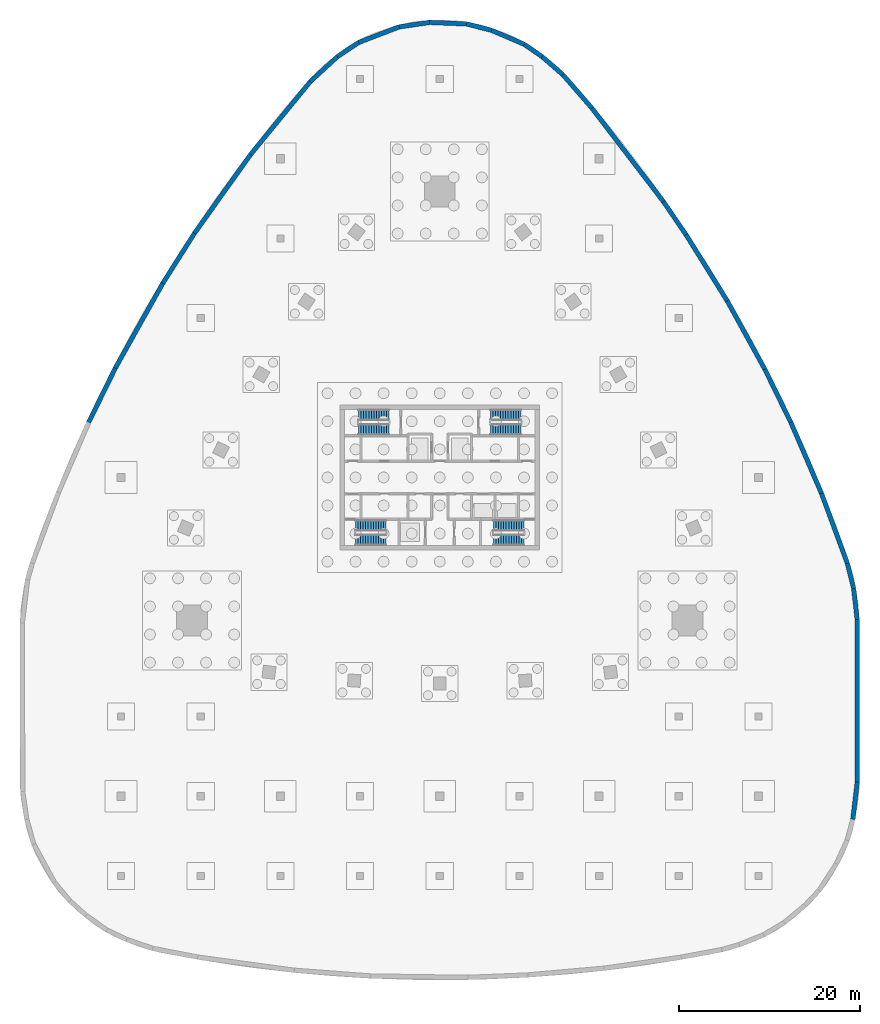
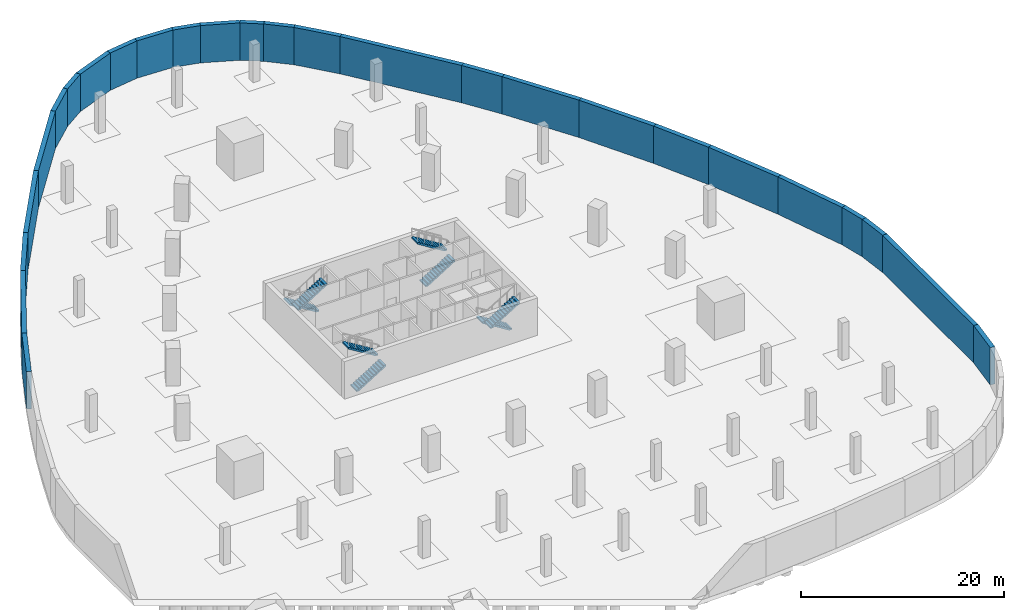
# One storey, part 6 of 8: 26 walls, 8 stair flights, 4 elements without a shape of their own.
"""IFC4 building model written with IfcOpenShell, lengths in metres."""

from ifc_helpers import new_model, si_unit, direction, frame, frame_2d, origin, place, context, subcontext, project, spatial, polyline, rectangle, outline, extrude, material, layer, layer_set, type_object, element, aggregate, save


model = new_model("IFC4")

# Units and contexts
model_context = context("Model", 3, precision=1e-05, world=origin(), true_north=direction((0.0, 1.0)))
body_context = subcontext(model_context, "Body", "Model", "MODEL_VIEW")
ifc_project = project(units=[si_unit("LENGTHUNIT", "METRE"), si_unit("AREAUNIT", "SQUARE_METRE"), si_unit("VOLUMEUNIT", "CUBIC_METRE"), si_unit("PLANEANGLEUNIT", "RADIAN"), si_unit("MASSUNIT", "GRAM", prefix="KILO")], contexts=[model_context])

# Site, building, storey
site_placement = place(None, origin())
site = spatial("IfcSite", under=ifc_project, at=site_placement, CompositionType="ELEMENT")
building_placement = place(site_placement, origin())
building = spatial("IfcBuilding", under=site, at=building_placement, Name="Sierra Prisma Convention Tower", CompositionType="ELEMENT")
storey_placement = place(building_placement, frame((0.0, 0.0, -9.0)))
storey = spatial("IfcBuildingStorey", under=building, at=storey_placement, Name="B2", CompositionType="ELEMENT", Elevation=-9.0)

# Walls
ifc_material_1 = material(Name="Concrete C40/50", Category="concrete")
ifc_layer = layer(ifc_material_1, 0.5)
ifc_layer_set = layer_set([ifc_layer], Name="Retaining wall 500")
wall_type = type_object("IfcWallType", Name="Retaining wall 500", PredefinedType="SOLIDWALL", material=ifc_layer_set)
wall_1_placement = place(storey_placement, frame((-38.768310546875, 6.09033203125, 0.0), z_axis=(0.0, 0.0, 1.0), x_axis=(0.439782855353, 0.898104136578, 0.0)))
element("IfcWall", 1, at=wall_1_placement, inside=storey, type_object=wall_type, Name="Retaining wall B2 18", PredefinedType="SOLIDWALL", context=body_context, shape_type="SweptSolid", body=[
    extrude(rectangle(XDim=6.650634765625, YDim=0.5, at=frame_2d((3.3251953125, 0.0))), origin(), (0.0, 0.0, 1.0), 4.5),
])
wall_2_placement = place(storey_placement, frame((-35.843505859375, 12.063232421875, 0.0), z_axis=(0.0, 0.0, 1.0), x_axis=(0.488508776482, 0.872558980986, 0.0)))
element("IfcWall", 2, at=wall_2_placement, inside=storey, type_object=wall_type, Name="Retaining wall B2 19", PredefinedType="SOLIDWALL", context=body_context, shape_type="SweptSolid", body=[
    extrude(rectangle(XDim=10.767578125, YDim=0.5, at=frame_2d((5.3837890625, 0.0))), origin(), (0.0, 0.0, 1.0), 4.5),
])
wall_3_placement = place(storey_placement, frame((-30.58349609375, 21.45849609375, 0.0), z_axis=(0.0, 0.0, 1.0), x_axis=(0.535447046535, 0.844568801435, 0.0)))
element("IfcWall", 3, at=wall_3_placement, inside=storey, type_object=wall_type, Name="Retaining wall B2 20", PredefinedType="SOLIDWALL", context=body_context, shape_type="SweptSolid", body=[
    extrude(rectangle(XDim=6.5283203125, YDim=0.5, at=frame_2d((3.26416015625, 0.0))), origin(), (0.0, 0.0, 1.0), 4.5),
])
wall_4_placement = place(storey_placement, frame((-27.087890625, 26.97216796875, 0.0), z_axis=(0.0, 0.0, 1.0), x_axis=(0.580519191979, 0.814246564466, 0.0)))
element("IfcWall", 4, at=wall_4_placement, inside=storey, type_object=wall_type, Name="Retaining wall B2 21", PredefinedType="SOLIDWALL", context=body_context, shape_type="SweptSolid", body=[
    extrude(rectangle(XDim=10.699462890625, YDim=0.5, at=frame_2d((5.349609375, 0.0))), origin(), (0.0, 0.0, 1.0), 4.5),
])
wall_5_placement = place(storey_placement, frame((-20.876708984375, 35.68408203125, 0.0), z_axis=(0.0, 0.0, 1.0), x_axis=(0.633564048213, 0.773690246036, 0.0)))
element("IfcWall", 5, at=wall_5_placement, inside=storey, type_object=wall_type, Name="Retaining wall B2 22", PredefinedType="SOLIDWALL", context=body_context, shape_type="SweptSolid", body=[
    extrude(rectangle(XDim=10.38916015625, YDim=0.5, at=frame_2d((5.194580078125, 0.0))), origin(), (0.0, 0.0, 1.0), 4.5),
])
wall_6_placement = place(storey_placement, frame((-14.29443359375, 43.72216796875, 0.0), z_axis=(0.0, 0.0, 1.0), x_axis=(0.736686128107, 0.676234832477, 0.0)))
element("IfcWall", 6, at=wall_6_placement, inside=storey, type_object=wall_type, Name="Retaining wall B2 23", PredefinedType="SOLIDWALL", context=body_context, shape_type="SweptSolid", body=[
    extrude(rectangle(XDim=4.05078125, YDim=0.5, at=frame_2d((2.025390625, 0.0))), origin(), (0.0, 0.0, 1.0), 4.5),
])
wall_7_placement = place(storey_placement, frame((-11.310302734375, 46.46142578125, 0.0), z_axis=(0.0, 0.0, 1.0), x_axis=(0.831494900489, 0.555532384709, 0.0)))
element("IfcWall", 7, at=wall_7_placement, inside=storey, type_object=wall_type, Name="Retaining wall B2 24", PredefinedType="SOLIDWALL", context=body_context, shape_type="SweptSolid", body=[
    extrude(rectangle(XDim=2.842529296875, YDim=0.5, at=frame_2d((1.42138671875, 0.0))), origin(), (0.0, 0.0, 1.0), 4.5),
])
wall_8_placement = place(storey_placement, frame((-8.94677734375, 48.04052734375, 0.0), z_axis=(0.0, 0.0, 1.0), x_axis=(0.933667147411, 0.358141952089, 0.0)))
element("IfcWall", 8, at=wall_8_placement, inside=storey, type_object=wall_type, Name="Retaining wall B2 25", PredefinedType="SOLIDWALL", context=body_context, shape_type="SweptSolid", body=[
    extrude(rectangle(XDim=4.788818359375, YDim=0.5, at=frame_2d((2.39453125, 0.0))), origin(), (0.0, 0.0, 1.0), 4.5),
])
wall_9_placement = place(storey_placement, frame((-4.4755859375, 49.755615234375, 0.0), z_axis=(0.0, 0.0, 1.0), x_axis=(0.989368277688, 0.14543180912, 0.0)))
element("IfcWall", 9, at=wall_9_placement, inside=storey, type_object=wall_type, Name="Retaining wall B2 26", PredefinedType="SOLIDWALL", context=body_context, shape_type="SweptSolid", body=[
    extrude(rectangle(XDim=3.39111328125, YDim=0.5, at=frame_2d((1.695556640625, 0.0))), origin(), (0.0, 0.0, 1.0), 4.5),
])
wall_10_placement = place(storey_placement, frame((-1.12060546875, 50.248779296875, 0.0), z_axis=(0.0, 0.0, 1.0), x_axis=(0.99916110783, -0.040952174547, 0.0)))
element("IfcWall", 10, at=wall_10_placement, inside=storey, type_object=wall_type, Name="Retaining wall B2 27", PredefinedType="SOLIDWALL", context=body_context, shape_type="SweptSolid", body=[
    extrude(rectangle(XDim=4.07177734375, YDim=0.5, at=frame_2d((2.035888671875, 0.0))), origin(), (0.0, 0.0, 1.0), 4.5),
])
wall_11_placement = place(storey_placement, frame((2.94775390625, 50.08203125, 0.0), z_axis=(0.0, 0.0, 1.0), x_axis=(0.969185557101, -0.246331800436, 0.0)))
element("IfcWall", 11, at=wall_11_placement, inside=storey, type_object=wall_type, Name="Retaining wall B2 28", PredefinedType="SOLIDWALL", context=body_context, shape_type="SweptSolid", body=[
    extrude(rectangle(XDim=2.843505859375, YDim=0.5, at=frame_2d((1.421875, 0.0))), origin(), (0.0, 0.0, 1.0), 4.5),
])
wall_12_placement = place(storey_placement, frame((5.70361328125, 49.381591796875, 0.0), z_axis=(0.0, 0.0, 1.0), x_axis=(0.918921314663, -0.394440892223, 0.0)))
element("IfcWall", 12, at=wall_12_placement, inside=storey, type_object=wall_type, Name="Retaining wall B2 29", PredefinedType="SOLIDWALL", context=body_context, shape_type="SweptSolid", body=[
    extrude(rectangle(XDim=3.953857421875, YDim=0.5, at=frame_2d((1.97705078125, 0.0))), origin(), (0.0, 0.0, 1.0), 4.5),
])
wall_13_placement = place(storey_placement, frame((9.3369140625, 47.822021484375, 0.0), z_axis=(0.0, 0.0, 1.0), x_axis=(0.823286618334, -0.567625883899, 0.0)))
element("IfcWall", 13, at=wall_13_placement, inside=storey, type_object=wall_type, Name="Retaining wall B2 30", PredefinedType="SOLIDWALL", context=body_context, shape_type="SweptSolid", body=[
    extrude(rectangle(XDim=2.39794921875, YDim=0.5, at=frame_2d((1.198974609375, 0.0))), origin(), (0.0, 0.0, 1.0), 4.5),
])
wall_14_placement = place(storey_placement, frame((11.31103515625, 46.4609375, 0.0), z_axis=(0.0, 0.0, 1.0), x_axis=(0.75405729919, -0.656808639969, 0.0)))
element("IfcWall", 14, at=wall_14_placement, inside=storey, type_object=wall_type, Name="Retaining wall B2 31", PredefinedType="SOLIDWALL", context=body_context, shape_type="SweptSolid", body=[
    extrude(rectangle(XDim=3.05029296875, YDim=0.5, at=frame_2d((1.525146484375, 0.0))), origin(), (0.0, 0.0, 1.0), 4.5),
])
wall_15_placement = place(storey_placement, frame((13.611083984375, 44.45751953125, 0.0), z_axis=(0.0, 0.0, 1.0), x_axis=(0.656013413924, -0.754749230375, 0.0)))
element("IfcWall", 15, at=wall_15_placement, inside=storey, type_object=wall_type, Name="Retaining wall B2 32", PredefinedType="SOLIDWALL", context=body_context, shape_type="SweptSolid", body=[
    extrude(rectangle(XDim=4.86376953125, YDim=0.5, at=frame_2d((2.431884765625, 0.0))), origin(), (0.0, 0.0, 1.0), 4.5),
])
wall_16_placement = place(storey_placement, frame((16.8017578125, 40.78662109375, 0.0), z_axis=(0.0, 0.0, 1.0), x_axis=(0.607919576061, -0.793998607707, 0.0)))
element("IfcWall", 16, at=wall_16_placement, inside=storey, type_object=wall_type, Name="Retaining wall B2 33", PredefinedType="SOLIDWALL", context=body_context, shape_type="SweptSolid", body=[
    extrude(rectangle(XDim=12.98779296875, YDim=0.5, at=frame_2d((6.493896484375, 0.0))), origin(), (0.0, 0.0, 1.0), 4.5),
])
wall_17_placement = place(storey_placement, frame((24.697265625, 30.474365234375, 0.0), z_axis=(0.0, 0.0, 1.0), x_axis=(0.563343664904, -0.826222678951, 0.0)))
element("IfcWall", 17, at=wall_17_placement, inside=storey, type_object=wall_type, Name="Retaining wall B2 34", PredefinedType="SOLIDWALL", context=body_context, shape_type="SweptSolid", body=[
    extrude(rectangle(XDim=4.429931640625, YDim=0.5, at=frame_2d((2.21484375, 0.0))), origin(), (0.0, 0.0, 1.0), 4.5),
])
wall_18_placement = place(storey_placement, frame((27.19287109375, 26.814208984375, 0.0), z_axis=(0.0, 0.0, 1.0), x_axis=(0.528818922836, -0.848734674, 0.0)))
element("IfcWall", 18, at=wall_18_placement, inside=storey, type_object=wall_type, Name="Retaining wall B2 35", PredefinedType="SOLIDWALL", context=body_context, shape_type="SweptSolid", body=[
    extrude(rectangle(XDim=8.6142578125, YDim=0.5, at=frame_2d((4.30712890625, 0.0))), origin(), (0.0, 0.0, 1.0), 4.5),
])
wall_19_placement = place(storey_placement, frame((31.748291015625, 19.5029296875, 0.0), z_axis=(0.0, 0.0, 1.0), x_axis=(0.481899167074, -0.876226678876, 0.0)))
element("IfcWall", 19, at=wall_19_placement, inside=storey, type_object=wall_type, Name="Retaining wall B2 36", PredefinedType="SOLIDWALL", context=body_context, shape_type="SweptSolid", body=[
    extrude(rectangle(XDim=8.614501953125, YDim=0.5, at=frame_2d((4.30712890625, 0.0))), origin(), (0.0, 0.0, 1.0), 4.5),
])
wall_20_placement = place(storey_placement, frame((35.899658203125, 11.95458984375, 0.0), z_axis=(0.0, 0.0, 1.0), x_axis=(0.439418048526, -0.898282683029, 0.0)))
element("IfcWall", 20, at=wall_20_placement, inside=storey, type_object=wall_type, Name="Retaining wall B2 37", PredefinedType="SOLIDWALL", context=body_context, shape_type="SweptSolid", body=[
    extrude(rectangle(XDim=6.5283203125, YDim=0.5, at=frame_2d((3.26416015625, 0.0))), origin(), (0.0, 0.0, 1.0), 4.5),
])
wall_21_placement = place(storey_placement, frame((38.768310546875, 6.09033203125, 0.0), z_axis=(0.0, 0.0, 1.0), x_axis=(0.396224264914, -0.918153762664, 0.0)))
element("IfcWall", 21, at=wall_21_placement, inside=storey, type_object=wall_type, Name="Retaining wall B2 38", PredefinedType="SOLIDWALL", context=body_context, shape_type="SweptSolid", body=[
    extrude(rectangle(XDim=8.54736328125, YDim=0.5, at=frame_2d((4.273681640625, 0.0))), origin(), (0.0, 0.0, 1.0), 4.5),
])
wall_22_placement = place(storey_placement, frame((42.155029296875, -1.757568359375, 0.0), z_axis=(0.0, 0.0, 1.0), x_axis=(0.346876937077, -0.937910651674, 0.0)))
element("IfcWall", 22, at=wall_22_placement, inside=storey, type_object=wall_type, Name="Retaining wall B2 39", PredefinedType="SOLIDWALL", context=body_context, shape_type="SweptSolid", body=[
    extrude(rectangle(XDim=8.2353515625, YDim=0.5, at=frame_2d((4.11767578125, 0.0))), origin(), (0.0, 0.0, 1.0), 4.5),
])
wall_23_placement = place(storey_placement, frame((45.01171875, -9.481689453125, 0.0), z_axis=(0.0, 0.0, 1.0), x_axis=(0.242335829441, -0.970192427186, 0.0)))
element("IfcWall", 23, at=wall_23_placement, inside=storey, type_object=wall_type, Name="Retaining wall B2 40", PredefinedType="SOLIDWALL", context=body_context, shape_type="SweptSolid", body=[
    extrude(rectangle(XDim=2.875244140625, YDim=0.5, at=frame_2d((1.4375, 0.0))), origin(), (0.0, 0.0, 1.0), 4.5),
])
wall_24_placement = place(storey_placement, frame((45.70849609375, -12.271240234375, 0.0), z_axis=(0.0, 0.0, 1.0), x_axis=(0.113347670979, -0.993555386218, 0.0)))
element("IfcWall", 24, at=wall_24_placement, inside=storey, type_object=wall_type, Name="Retaining wall B2 41", PredefinedType="SOLIDWALL", context=body_context, shape_type="SweptSolid", body=[
    extrude(rectangle(XDim=3.4267578125, YDim=0.5, at=frame_2d((1.71337890625, 0.0))), origin(), (0.0, 0.0, 1.0), 4.5),
])
wall_25_placement = place(storey_placement, frame((46.096923828125, -15.676025390625, 0.0), z_axis=(0.0, 0.0, 1.0), x_axis=(0.00042159659, -0.999999911128, 0.0)))
element("IfcWall", 25, at=wall_25_placement, inside=storey, type_object=wall_type, Name="Retaining wall B2 42", PredefinedType="SOLIDWALL", context=body_context, shape_type="SweptSolid", body=[
    extrude(rectangle(XDim=17.95166015625, YDim=0.5, at=frame_2d((8.975830078125, 0.0))), origin(), (0.0, 0.0, 1.0), 4.5),
])
wall_26_placement = place(storey_placement, frame((46.1044921875, -33.627685546875, 0.0), z_axis=(0.0, 0.0, 1.0), x_axis=(-0.117332368517, -0.993092702268, 0.0)))
element("IfcWall", 26, at=wall_26_placement, inside=storey, type_object=wall_type, Name="Retaining wall B2 43", PredefinedType="SOLIDWALL", context=body_context, shape_type="SweptSolid", body=[
    extrude(rectangle(XDim=4.1533203125, YDim=0.5, at=frame_2d((2.07666015625, 0.0))), origin(), (0.0, 0.0, 1.0), 4.5),
])

# Stair, stair flights
ifc_material_2 = material(Name="Concrete C30/37", Category="concrete")
stair_type = type_object("IfcStairType", Name="Stair dog-leg 1200 RC", PredefinedType="HALF_TURN_STAIR", material=ifc_material_2)
stair_1_placement = place(storey_placement, origin())
stair_1 = element("IfcStair", 27, at=stair_1_placement, inside=storey, type_object=stair_type, Name="B2 S1", PredefinedType="HALF_TURN_STAIR")
ifc_material_3 = material(Name="Concrete C30/37", Category="concrete")
stair_flight_type = type_object("IfcStairFlightType", Name="Stair flight RC 1200", PredefinedType="STRAIGHT", material=ifc_material_3)
stair_flight_1_placement = place(storey_placement, frame((-9.300048828125, -6.89990234375, 0.0), z_axis=(0.0, 0.0, 1.0), x_axis=(1.0, 0.0, 0.0)))
stair_flight_1 = element("IfcStairFlight", 28, at=stair_flight_1_placement, type_object=stair_flight_type, Name="S1 flight 1", NumberOfRisers=13, NumberOfTreads=12, PredefinedType="STRAIGHT", RiserHeight=0.173076923, TreadLength=0.28, context=body_context, shape_type="SweptSolid", body=[
    extrude(outline(polyline([(0.0, 0.0), (0.0, 0.173095703125), (0.280029296875, 0.173095703125), (0.280029296875, 0.34619140625), (0.56005859375, 0.34619140625), (0.56005859375, 0.519287109375), (0.840087890625, 0.519287109375), (0.840087890625, 0.6923828125), (1.1201171875, 0.6923828125), (1.1201171875, 0.865478515625), (1.39990234375, 0.865478515625), (1.39990234375, 1.03857421875), (1.679931640625, 1.03857421875), (1.679931640625, 1.21142578125), (1.9599609375, 1.21142578125), (1.9599609375, 1.384521484375), (2.239990234375, 1.384521484375), (2.239990234375, 1.5576171875), (2.52001953125, 1.5576171875), (2.52001953125, 1.730712890625), (2.800048828125, 1.730712890625), (2.800048828125, 1.90380859375), (3.080078125, 1.90380859375), (3.080078125, 2.076904296875), (3.360107421875, 2.076904296875), (3.360107421875, 2.25), (3.360107421875, 1.900634765625), (0.28515625, 0.0), (0.0, 0.0)])), frame((0.0, 0.60009765625, 0.0), z_axis=(0.0, -1.0, 0.0), x_axis=(1.0, 0.0, 0.0)), (0.0, 0.0, 1.0), 1.199951171875),
])
stair_flight_2_placement = place(storey_placement, frame((-5.93994140625, -5.300048828125, 2.25), z_axis=(0.0, 0.0, 1.0), x_axis=(-1.0, 0.0, 0.0)))
stair_flight_2 = element("IfcStairFlight", 29, at=stair_flight_2_placement, type_object=stair_flight_type, Name="S1 flight 2", NumberOfRisers=13, NumberOfTreads=12, PredefinedType="STRAIGHT", RiserHeight=0.173076923, TreadLength=0.28, context=body_context, shape_type="SweptSolid", body=[
    extrude(outline(polyline([(0.0, 0.0), (0.0, 0.173095703125), (0.280029296875, 0.173095703125), (0.280029296875, 0.34619140625), (0.56005859375, 0.34619140625), (0.56005859375, 0.519287109375), (0.840087890625, 0.519287109375), (0.840087890625, 0.6923828125), (1.1201171875, 0.6923828125), (1.1201171875, 0.865478515625), (1.39990234375, 0.865478515625), (1.39990234375, 1.03857421875), (1.679931640625, 1.03857421875), (1.679931640625, 1.21142578125), (1.9599609375, 1.21142578125), (1.9599609375, 1.384521484375), (2.239990234375, 1.384521484375), (2.239990234375, 1.5576171875), (2.52001953125, 1.5576171875), (2.52001953125, 1.730712890625), (2.800048828125, 1.730712890625), (2.800048828125, 1.90380859375), (3.080078125, 1.90380859375), (3.080078125, 2.076904296875), (3.360107421875, 2.076904296875), (3.360107421875, 2.25), (3.360107421875, 1.900634765625), (0.28515625, 0.0), (0.0, 0.0)])), frame((0.0, 0.60009765625, 0.0), z_axis=(0.0, -1.0, 0.0), x_axis=(1.0, 0.0, 0.0)), (0.0, 0.0, 1.0), 1.199951171875),
])
aggregate(stair_1, [stair_flight_1, stair_flight_2])

stair_2_placement = place(storey_placement, origin())
stair_2 = element("IfcStair", 30, at=stair_2_placement, inside=storey, type_object=stair_type, Name="B2 S2", PredefinedType="HALF_TURN_STAIR")
stair_flight_3_placement = place(storey_placement, frame((9.300048828125, -5.300048828125, 0.0), z_axis=(0.0, 0.0, 1.0), x_axis=(-1.0, 0.0, 0.0)))
stair_flight_3 = element("IfcStairFlight", 31, at=stair_flight_3_placement, type_object=stair_flight_type, Name="S2 flight 1", NumberOfRisers=13, NumberOfTreads=12, PredefinedType="STRAIGHT", RiserHeight=0.173076923, TreadLength=0.28, context=body_context, shape_type="SweptSolid", body=[
    extrude(outline(polyline([(0.0, 0.0), (0.0, 0.173095703125), (0.280029296875, 0.173095703125), (0.280029296875, 0.34619140625), (0.56005859375, 0.34619140625), (0.56005859375, 0.519287109375), (0.840087890625, 0.519287109375), (0.840087890625, 0.6923828125), (1.1201171875, 0.6923828125), (1.1201171875, 0.865478515625), (1.39990234375, 0.865478515625), (1.39990234375, 1.03857421875), (1.679931640625, 1.03857421875), (1.679931640625, 1.21142578125), (1.9599609375, 1.21142578125), (1.9599609375, 1.384521484375), (2.239990234375, 1.384521484375), (2.239990234375, 1.5576171875), (2.52001953125, 1.5576171875), (2.52001953125, 1.730712890625), (2.800048828125, 1.730712890625), (2.800048828125, 1.90380859375), (3.080078125, 1.90380859375), (3.080078125, 2.076904296875), (3.360107421875, 2.076904296875), (3.360107421875, 2.25), (3.360107421875, 1.900634765625), (0.28515625, 0.0), (0.0, 0.0)])), frame((0.0, 0.60009765625, 0.0), z_axis=(0.0, -1.0, 0.0), x_axis=(1.0, 0.0, 0.0)), (0.0, 0.0, 1.0), 1.199951171875),
])
stair_flight_4_placement = place(storey_placement, frame((5.93994140625, -6.89990234375, 2.25), z_axis=(0.0, 0.0, 1.0), x_axis=(1.0, 0.0, 0.0)))
stair_flight_4 = element("IfcStairFlight", 32, at=stair_flight_4_placement, type_object=stair_flight_type, Name="S2 flight 2", NumberOfRisers=13, NumberOfTreads=12, PredefinedType="STRAIGHT", RiserHeight=0.173076923, TreadLength=0.28, context=body_context, shape_type="SweptSolid", body=[
    extrude(outline(polyline([(0.0, 0.0), (0.0, 0.173095703125), (0.280029296875, 0.173095703125), (0.280029296875, 0.34619140625), (0.56005859375, 0.34619140625), (0.56005859375, 0.519287109375), (0.840087890625, 0.519287109375), (0.840087890625, 0.6923828125), (1.1201171875, 0.6923828125), (1.1201171875, 0.865478515625), (1.39990234375, 0.865478515625), (1.39990234375, 1.03857421875), (1.679931640625, 1.03857421875), (1.679931640625, 1.21142578125), (1.9599609375, 1.21142578125), (1.9599609375, 1.384521484375), (2.239990234375, 1.384521484375), (2.239990234375, 1.5576171875), (2.52001953125, 1.5576171875), (2.52001953125, 1.730712890625), (2.800048828125, 1.730712890625), (2.800048828125, 1.90380859375), (3.080078125, 1.90380859375), (3.080078125, 2.076904296875), (3.360107421875, 2.076904296875), (3.360107421875, 2.25), (3.360107421875, 1.900634765625), (0.28515625, 0.0), (0.0, 0.0)])), frame((0.0, 0.60009765625, 0.0), z_axis=(0.0, -1.0, 0.0), x_axis=(1.0, 0.0, 0.0)), (0.0, 0.0, 1.0), 1.199951171875),
])
aggregate(stair_2, [stair_flight_3, stair_flight_4])

stair_3_placement = place(storey_placement, origin())
stair_3 = element("IfcStair", 33, at=stair_3_placement, inside=storey, type_object=stair_type, Name="B2 S3", PredefinedType="HALF_TURN_STAIR")
stair_flight_5_placement = place(storey_placement, frame((-5.60009765625, 6.89990234375, 0.0), z_axis=(0.0, 0.0, 1.0), x_axis=(-1.0, 0.0, 0.0)))
stair_flight_5 = element("IfcStairFlight", 34, at=stair_flight_5_placement, type_object=stair_flight_type, Name="S3 flight 1", NumberOfRisers=13, NumberOfTreads=12, PredefinedType="STRAIGHT", RiserHeight=0.173076923, TreadLength=0.28, context=body_context, shape_type="SweptSolid", body=[
    extrude(outline(polyline([(0.0, 0.0), (0.0, 0.173095703125), (0.280029296875, 0.173095703125), (0.280029296875, 0.34619140625), (0.56005859375, 0.34619140625), (0.56005859375, 0.519287109375), (0.840087890625, 0.519287109375), (0.840087890625, 0.6923828125), (1.1201171875, 0.6923828125), (1.1201171875, 0.865478515625), (1.39990234375, 0.865478515625), (1.39990234375, 1.03857421875), (1.679931640625, 1.03857421875), (1.679931640625, 1.21142578125), (1.9599609375, 1.21142578125), (1.9599609375, 1.384521484375), (2.239990234375, 1.384521484375), (2.239990234375, 1.5576171875), (2.52001953125, 1.5576171875), (2.52001953125, 1.730712890625), (2.800048828125, 1.730712890625), (2.800048828125, 1.90380859375), (3.080078125, 1.90380859375), (3.080078125, 2.076904296875), (3.360107421875, 2.076904296875), (3.360107421875, 2.25), (3.360107421875, 1.900634765625), (0.28515625, 0.0), (0.0, 0.0)])), frame((0.0, 0.60009765625, 0.0), z_axis=(0.0, -1.0, 0.0), x_axis=(1.0, 0.0, 0.0)), (0.0, 0.0, 1.0), 1.199951171875),
])
stair_flight_6_placement = place(storey_placement, frame((-8.9599609375, 5.300048828125, 2.25), z_axis=(0.0, 0.0, 1.0), x_axis=(1.0, 0.0, 0.0)))
stair_flight_6 = element("IfcStairFlight", 35, at=stair_flight_6_placement, type_object=stair_flight_type, Name="S3 flight 2", NumberOfRisers=13, NumberOfTreads=12, PredefinedType="STRAIGHT", RiserHeight=0.173076923, TreadLength=0.28, context=body_context, shape_type="SweptSolid", body=[
    extrude(outline(polyline([(0.0, 0.0), (0.0, 0.173095703125), (0.280029296875, 0.173095703125), (0.280029296875, 0.34619140625), (0.56005859375, 0.34619140625), (0.56005859375, 0.519287109375), (0.840087890625, 0.519287109375), (0.840087890625, 0.6923828125), (1.1201171875, 0.6923828125), (1.1201171875, 0.865478515625), (1.39990234375, 0.865478515625), (1.39990234375, 1.03857421875), (1.679931640625, 1.03857421875), (1.679931640625, 1.21142578125), (1.9599609375, 1.21142578125), (1.9599609375, 1.384521484375), (2.239990234375, 1.384521484375), (2.239990234375, 1.5576171875), (2.52001953125, 1.5576171875), (2.52001953125, 1.730712890625), (2.800048828125, 1.730712890625), (2.800048828125, 1.90380859375), (3.080078125, 1.90380859375), (3.080078125, 2.076904296875), (3.360107421875, 2.076904296875), (3.360107421875, 2.25), (3.360107421875, 1.900634765625), (0.28515625, 0.0), (0.0, 0.0)])), frame((0.0, 0.60009765625, 0.0), z_axis=(0.0, -1.0, 0.0), x_axis=(1.0, 0.0, 0.0)), (0.0, 0.0, 1.0), 1.199951171875),
])
aggregate(stair_3, [stair_flight_5, stair_flight_6])

stair_4_placement = place(storey_placement, origin())
stair_4 = element("IfcStair", 36, at=stair_4_placement, inside=storey, type_object=stair_type, Name="B2 S4", PredefinedType="HALF_TURN_STAIR")
stair_flight_7_placement = place(storey_placement, frame((5.60009765625, 5.300048828125, 0.0), z_axis=(0.0, 0.0, 1.0), x_axis=(1.0, 0.0, 0.0)))
stair_flight_7 = element("IfcStairFlight", 37, at=stair_flight_7_placement, type_object=stair_flight_type, Name="S4 flight 1", NumberOfRisers=13, NumberOfTreads=12, PredefinedType="STRAIGHT", RiserHeight=0.173076923, TreadLength=0.28, context=body_context, shape_type="SweptSolid", body=[
    extrude(outline(polyline([(0.0, 0.0), (0.0, 0.173095703125), (0.280029296875, 0.173095703125), (0.280029296875, 0.34619140625), (0.56005859375, 0.34619140625), (0.56005859375, 0.519287109375), (0.840087890625, 0.519287109375), (0.840087890625, 0.6923828125), (1.1201171875, 0.6923828125), (1.1201171875, 0.865478515625), (1.39990234375, 0.865478515625), (1.39990234375, 1.03857421875), (1.679931640625, 1.03857421875), (1.679931640625, 1.21142578125), (1.9599609375, 1.21142578125), (1.9599609375, 1.384521484375), (2.239990234375, 1.384521484375), (2.239990234375, 1.5576171875), (2.52001953125, 1.5576171875), (2.52001953125, 1.730712890625), (2.800048828125, 1.730712890625), (2.800048828125, 1.90380859375), (3.080078125, 1.90380859375), (3.080078125, 2.076904296875), (3.360107421875, 2.076904296875), (3.360107421875, 2.25), (3.360107421875, 1.900634765625), (0.28515625, 0.0), (0.0, 0.0)])), frame((0.0, 0.60009765625, 0.0), z_axis=(0.0, -1.0, 0.0), x_axis=(1.0, 0.0, 0.0)), (0.0, 0.0, 1.0), 1.199951171875),
])
stair_flight_8_placement = place(storey_placement, frame((8.9599609375, 6.89990234375, 2.25), z_axis=(0.0, 0.0, 1.0), x_axis=(-1.0, 0.0, 0.0)))
stair_flight_8 = element("IfcStairFlight", 38, at=stair_flight_8_placement, type_object=stair_flight_type, Name="S4 flight 2", NumberOfRisers=13, NumberOfTreads=12, PredefinedType="STRAIGHT", RiserHeight=0.173076923, TreadLength=0.28, context=body_context, shape_type="SweptSolid", body=[
    extrude(outline(polyline([(0.0, 0.0), (0.0, 0.173095703125), (0.280029296875, 0.173095703125), (0.280029296875, 0.34619140625), (0.56005859375, 0.34619140625), (0.56005859375, 0.519287109375), (0.840087890625, 0.519287109375), (0.840087890625, 0.6923828125), (1.1201171875, 0.6923828125), (1.1201171875, 0.865478515625), (1.39990234375, 0.865478515625), (1.39990234375, 1.03857421875), (1.679931640625, 1.03857421875), (1.679931640625, 1.21142578125), (1.9599609375, 1.21142578125), (1.9599609375, 1.384521484375), (2.239990234375, 1.384521484375), (2.239990234375, 1.5576171875), (2.52001953125, 1.5576171875), (2.52001953125, 1.730712890625), (2.800048828125, 1.730712890625), (2.800048828125, 1.90380859375), (3.080078125, 1.90380859375), (3.080078125, 2.076904296875), (3.360107421875, 2.076904296875), (3.360107421875, 2.25), (3.360107421875, 1.900634765625), (0.28515625, 0.0), (0.0, 0.0)])), frame((0.0, 0.60009765625, 0.0), z_axis=(0.0, -1.0, 0.0), x_axis=(1.0, 0.0, 0.0)), (0.0, 0.0, 1.0), 1.199951171875),
])
aggregate(stair_4, [stair_flight_7, stair_flight_8])

save(model, "model.ifc")
